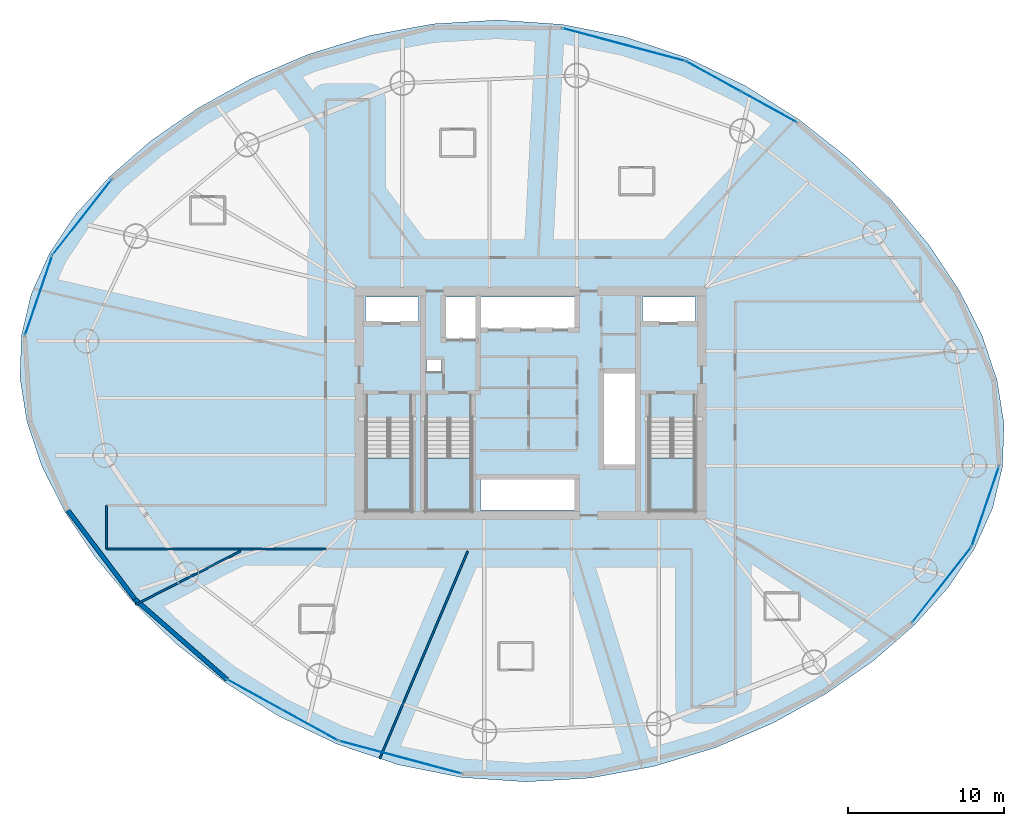
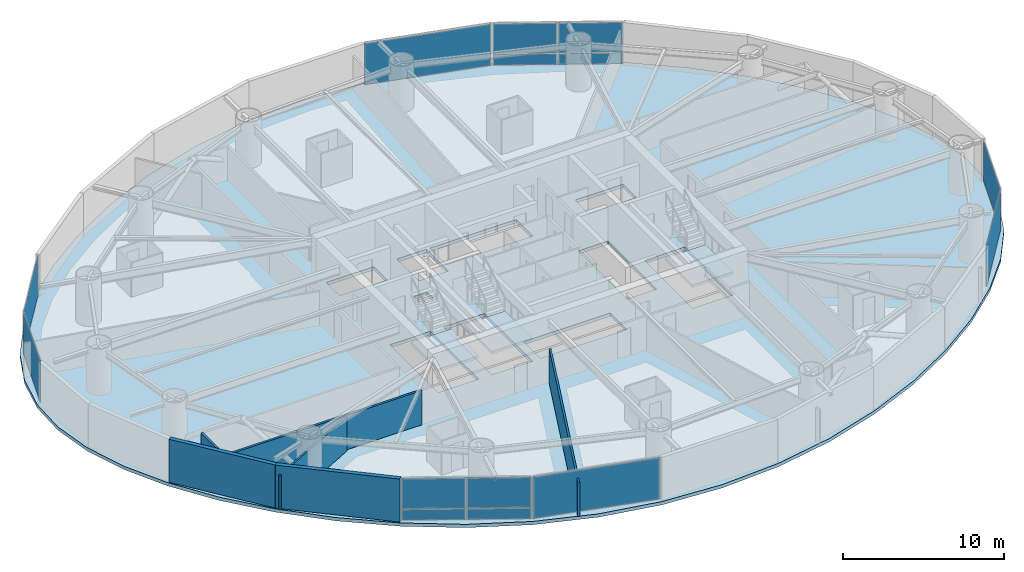
# One storey, part 15 of 23: 14 plates, 6 walls, 4 slabs, 11 elements without a shape of their own.
"""IFC4 building model written with IfcOpenShell, lengths in metres."""

from ifc_helpers import new_model, si_unit, direction, frame, frame_2d, origin, origin_2d, place, context, subcontext, project, spatial, polyline, rectangle, outline, extrude, material, layer, layer_set, type_object, element, aggregate, save


model = new_model("IFC4")

# Units and contexts
model_context = context("Model", 3, precision=1e-05, world=origin(), true_north=direction((0.0, 1.0)))
body_context = subcontext(model_context, "Body", "Model", "MODEL_VIEW")
ifc_project = project(units=[si_unit("LENGTHUNIT", "METRE"), si_unit("AREAUNIT", "SQUARE_METRE"), si_unit("VOLUMEUNIT", "CUBIC_METRE"), si_unit("PLANEANGLEUNIT", "RADIAN"), si_unit("MASSUNIT", "GRAM", prefix="KILO")], contexts=[model_context])

# Site, building, storey
site_placement = place(None, origin())
site = spatial("IfcSite", under=ifc_project, at=site_placement, CompositionType="ELEMENT")
building_placement = place(site_placement, origin())
building = spatial("IfcBuilding", under=site, at=building_placement, Name="Bramvorn Convention Spire", CompositionType="ELEMENT")
storey_placement = place(building_placement, frame((0.0, 0.0, 65.89990234375)))
storey = spatial("IfcBuildingStorey", under=building, at=storey_placement, Name="L14", CompositionType="ELEMENT", Elevation=65.89990234375)

# Curtain wall, plates
ifc_material_1 = material(Name="Anodised Bronze Unitised Curtain Wall", Category="aluminium")
ifc_layer_1 = layer(ifc_material_1, 0.179931640625)
ifc_layer_set_1 = layer_set([ifc_layer_1], Name="Anodised Bronze Unitised Curtain Wall - CW-HTL-FRIT")
curtain_wall_type = type_object("IfcCurtainWallType", Name="CW-HTL-FRIT", PredefinedType="USERDEFINED", material=ifc_layer_set_1)
curtain_wall_1_placement = place(storey_placement, origin())
curtain_wall_1 = element("IfcCurtainWall", 1, at=curtain_wall_1_placement, inside=storey, type_object=curtain_wall_type, Name="L14 fritted glass curtain wall 05", ObjectType="UNITISED CURTAIN WALL", PredefinedType="USERDEFINED")
ifc_material_2 = material(Name="Laminated Low-E Glass (Triple IGU Bronze Ceramic Frit 35%)", Category="glass")
ifc_layer_2 = layer(ifc_material_2, 0.035888671875)
ifc_layer_set_2 = layer_set([ifc_layer_2], Name="Laminated Low-E Glass (Triple IGU Bronze Ceramic Frit 35%) - PNL-IGU-1")
plate_type = type_object("IfcPlateType", Name="PNL-IGU-1", PredefinedType="CURTAIN_PANEL", material=ifc_layer_set_2)
plate_1_placement = place(storey_placement, frame((49.772216796875, 46.99755859375, 0.06005859375), z_axis=(0.0, 0.0, 1.0), x_axis=(0.876084867881, -0.482156929091, 0.0)))
plate_1 = element("IfcPlate", 2, at=plate_1_placement, type_object=plate_type, Name="CW2 panel 1.1", PredefinedType="CURTAIN_PANEL", context=body_context, shape_type="SweptSolid", body=[
    extrude(rectangle(XDim=3.995361328125, YDim=0.028076171875, at=origin_2d()), origin(), (0.0, 0.0, 1.0), 0.81005859375),
])
plate_2_placement = place(storey_placement, frame((49.772216796875, 46.99755859375, 0.93017578125), z_axis=(0.0, 0.0, 1.0), x_axis=(0.876084867881, -0.482156929091, 0.0)))
plate_2 = element("IfcPlate", 3, at=plate_2_placement, type_object=plate_type, Name="CW2 panel 1.2", PredefinedType="CURTAIN_PANEL", context=body_context, shape_type="SweptSolid", body=[
    extrude(rectangle(XDim=3.995361328125, YDim=0.028076171875, at=origin_2d()), origin(), (0.0, 0.0, 1.0), 2.260009765625),
])
plate_3_placement = place(storey_placement, frame((53.324951171875, 45.042236328125, 0.06005859375), z_axis=(0.0, 0.0, 1.0), x_axis=(0.876084867881, -0.482156929091, 0.0)))
plate_3 = element("IfcPlate", 4, at=plate_3_placement, type_object=plate_type, Name="CW2 panel 2.1", PredefinedType="CURTAIN_PANEL", context=body_context, shape_type="SweptSolid", body=[
    extrude(rectangle(XDim=3.995361328125, YDim=0.028076171875, at=origin_2d()), origin(), (0.0, 0.0, 1.0), 0.81005859375),
])
plate_4_placement = place(storey_placement, frame((53.324951171875, 45.042236328125, 0.93017578125), z_axis=(0.0, 0.0, 1.0), x_axis=(0.876084867881, -0.482156929091, 0.0)))
plate_4 = element("IfcPlate", 5, at=plate_4_placement, type_object=plate_type, Name="CW2 panel 2.2", PredefinedType="CURTAIN_PANEL", context=body_context, shape_type="SweptSolid", body=[
    extrude(rectangle(XDim=3.995361328125, YDim=0.028076171875, at=origin_2d()), origin(), (0.0, 0.0, 1.0), 2.260009765625),
])
aggregate(curtain_wall_1, [plate_1, plate_2, plate_3, plate_4])

# Curtain wall, plate
curtain_wall_2_placement = place(storey_placement, origin())
curtain_wall_2 = element("IfcCurtainWall", 6, at=curtain_wall_2_placement, inside=storey, type_object=curtain_wall_type, Name="L14 fritted glass curtain wall 06", ObjectType="UNITISED CURTAIN WALL", PredefinedType="USERDEFINED")
plate_5_placement = place(storey_placement, frame((43.98828125, 49.05322265625, 0.06005859375), z_axis=(0.0, 0.0, 1.0), x_axis=(0.966121664214, -0.258087058833, 0.0)))
plate_5 = element("IfcPlate", 7, at=plate_5_placement, type_object=plate_type, Name="CW2 panel 1.1", PredefinedType="CURTAIN_PANEL", context=body_context, shape_type="SweptSolid", body=[
    extrude(rectangle(XDim=8.121337890625, YDim=0.028076171875, at=origin_2d()), origin(), (0.0, 0.0, 1.0), 3.1298828125),
])
aggregate(curtain_wall_2, [plate_5])

curtain_wall_3_placement = place(storey_placement, origin())
curtain_wall_3 = element("IfcCurtainWall", 8, at=curtain_wall_3_placement, inside=storey, type_object=curtain_wall_type, Name="L14 fritted glass curtain wall 11", ObjectType="UNITISED CURTAIN WALL", PredefinedType="USERDEFINED")
plate_6_placement = place(storey_placement, frame((9.205078125, 37.980224609375, 0.06005859375), z_axis=(0.0, 0.0, 1.0), x_axis=(0.617335147708, 0.786700270373, 0.0)))
plate_6 = element("IfcPlate", 9, at=plate_6_placement, type_object=plate_type, Name="CW2 panel 1.1", PredefinedType="CURTAIN_PANEL", context=body_context, shape_type="SweptSolid", body=[
    extrude(rectangle(XDim=6.092041015625, YDim=0.028076171875, at=origin_2d()), origin(), (0.0, 0.0, 1.0), 3.1298828125),
])
aggregate(curtain_wall_3, [plate_6])

curtain_wall_4_placement = place(storey_placement, origin())
curtain_wall_4 = element("IfcCurtainWall", 10, at=curtain_wall_4_placement, inside=storey, type_object=curtain_wall_type, Name="L14 fritted glass curtain wall 12", ObjectType="UNITISED CURTAIN WALL", PredefinedType="USERDEFINED")
plate_7_placement = place(storey_placement, frame((6.397705078125, 32.93603515625, 0.06005859375), z_axis=(0.0, 0.0, 1.0), x_axis=(0.323715962525, 0.94615430856, 0.0)))
plate_7 = element("IfcPlate", 11, at=plate_7_placement, type_object=plate_type, Name="CW2 panel 1.1", PredefinedType="CURTAIN_PANEL", context=body_context, shape_type="SweptSolid", body=[
    extrude(rectangle(XDim=5.37744140625, YDim=0.028076171875, at=origin_2d()), origin(), (0.0, 0.0, 1.0), 3.1298828125),
])
aggregate(curtain_wall_4, [plate_7])

# Curtain wall, plates
curtain_wall_5_placement = place(storey_placement, origin())
curtain_wall_5 = element("IfcCurtainWall", 12, at=curtain_wall_5_placement, inside=storey, type_object=curtain_wall_type, Name="L14 fritted glass curtain wall 17", ObjectType="UNITISED CURTAIN WALL", PredefinedType="USERDEFINED")
plate_8_placement = place(storey_placement, frame((23.848876953125, 5.31982421875, 0.06005859375), z_axis=(0.0, 0.0, 1.0), x_axis=(-0.876084867881, 0.482156929091, 0.0)))
plate_8 = element("IfcPlate", 13, at=plate_8_placement, type_object=plate_type, Name="CW2 panel 1.1", PredefinedType="CURTAIN_PANEL", context=body_context, shape_type="SweptSolid", body=[
    extrude(rectangle(XDim=3.995361328125, YDim=0.028076171875, at=origin_2d()), origin(), (0.0, 0.0, 1.0), 0.81005859375),
])
plate_9_placement = place(storey_placement, frame((23.848876953125, 5.31982421875, 0.93017578125), z_axis=(0.0, 0.0, 1.0), x_axis=(-0.876084867881, 0.482156929091, 0.0)))
plate_9 = element("IfcPlate", 14, at=plate_9_placement, type_object=plate_type, Name="CW2 panel 1.2", PredefinedType="CURTAIN_PANEL", context=body_context, shape_type="SweptSolid", body=[
    extrude(rectangle(XDim=3.995361328125, YDim=0.028076171875, at=origin_2d()), origin(), (0.0, 0.0, 1.0), 2.260009765625),
])
plate_10_placement = place(storey_placement, frame((20.296142578125, 7.275146484375, 0.06005859375), z_axis=(0.0, 0.0, 1.0), x_axis=(-0.876084867881, 0.482156929091, 0.0)))
plate_10 = element("IfcPlate", 15, at=plate_10_placement, type_object=plate_type, Name="CW2 panel 2.1", PredefinedType="CURTAIN_PANEL", context=body_context, shape_type="SweptSolid", body=[
    extrude(rectangle(XDim=3.995361328125, YDim=0.028076171875, at=origin_2d()), origin(), (0.0, 0.0, 1.0), 0.81005859375),
])
plate_11_placement = place(storey_placement, frame((20.296142578125, 7.275146484375, 0.93017578125), z_axis=(0.0, 0.0, 1.0), x_axis=(-0.876084867881, 0.482156929091, 0.0)))
plate_11 = element("IfcPlate", 16, at=plate_11_placement, type_object=plate_type, Name="CW2 panel 2.2", PredefinedType="CURTAIN_PANEL", context=body_context, shape_type="SweptSolid", body=[
    extrude(rectangle(XDim=3.995361328125, YDim=0.028076171875, at=origin_2d()), origin(), (0.0, 0.0, 1.0), 2.260009765625),
])
aggregate(curtain_wall_5, [plate_8, plate_9, plate_10, plate_11])

# Curtain wall, plate
curtain_wall_6_placement = place(storey_placement, origin())
curtain_wall_6 = element("IfcCurtainWall", 17, at=curtain_wall_6_placement, inside=storey, type_object=curtain_wall_type, Name="L14 fritted glass curtain wall 18", ObjectType="UNITISED CURTAIN WALL", PredefinedType="USERDEFINED")
plate_12_placement = place(storey_placement, frame((29.6328125, 3.26416015625, 0.06005859375), z_axis=(0.0, 0.0, 1.0), x_axis=(-0.966121664214, 0.258087058833, 0.0)))
plate_12 = element("IfcPlate", 18, at=plate_12_placement, type_object=plate_type, Name="CW2 panel 1.1", PredefinedType="CURTAIN_PANEL", context=body_context, shape_type="SweptSolid", body=[
    extrude(rectangle(XDim=8.121337890625, YDim=0.028076171875, at=origin_2d()), origin(), (0.0, 0.0, 1.0), 3.1298828125),
])
aggregate(curtain_wall_6, [plate_12])

curtain_wall_7_placement = place(storey_placement, origin())
curtain_wall_7 = element("IfcCurtainWall", 19, at=curtain_wall_7_placement, inside=storey, type_object=curtain_wall_type, Name="L14 fritted glass curtain wall 23", ObjectType="UNITISED CURTAIN WALL", PredefinedType="USERDEFINED")
plate_13_placement = place(storey_placement, frame((64.416015625, 14.337158203125, 0.06005859375), z_axis=(0.0, 0.0, 1.0), x_axis=(-0.617327329745, -0.78670640518, 0.0)))
plate_13 = element("IfcPlate", 20, at=plate_13_placement, type_object=plate_type, Name="CW2 panel 1.1", PredefinedType="CURTAIN_PANEL", context=body_context, shape_type="SweptSolid", body=[
    extrude(rectangle(XDim=6.092041015625, YDim=0.028076171875, at=origin_2d()), origin(), (0.0, 0.0, 1.0), 3.1298828125),
])
aggregate(curtain_wall_7, [plate_13])

curtain_wall_8_placement = place(storey_placement, origin())
curtain_wall_8 = element("IfcCurtainWall", 21, at=curtain_wall_8_placement, inside=storey, type_object=curtain_wall_type, Name="L14 fritted glass curtain wall 24", ObjectType="UNITISED CURTAIN WALL", PredefinedType="USERDEFINED")
plate_14_placement = place(storey_placement, frame((67.223388671875, 19.38134765625, 0.06005859375), z_axis=(0.0, 0.0, 1.0), x_axis=(-0.323715962525, -0.94615430856, 0.0)))
plate_14 = element("IfcPlate", 22, at=plate_14_placement, type_object=plate_type, Name="CW2 panel 1.1", PredefinedType="CURTAIN_PANEL", context=body_context, shape_type="SweptSolid", body=[
    extrude(rectangle(XDim=5.37744140625, YDim=0.028076171875, at=origin_2d()), origin(), (0.0, 0.0, 1.0), 3.1298828125),
])
aggregate(curtain_wall_8, [plate_14])

# Stair, slab
ifc_material_3 = material(Name="Concrete C40/50 Precast Stair", Category="concrete")
stair_type = type_object("IfcStairType", Name="ST-TOWER-1550", PredefinedType="HALF_TURN_STAIR", material=ifc_material_3)
stair_1_placement = place(storey_placement, origin())
stair_1 = element("IfcStair", 23, at=stair_1_placement, inside=storey, type_object=stair_type, Name="L14 Protected Exit Stair ST1", PredefinedType="HALF_TURN_STAIR")
ifc_material_4 = material(Name="Concrete C40/50 Stair Landing", Category="concrete")
ifc_layer_3 = layer(ifc_material_4, 0.219970703125)
ifc_layer_set_3 = layer_set([ifc_layer_3], Name="Concrete C40/50 Stair Landing - SLB-STAIR-LANDING")
slab_type_1 = type_object("IfcSlabType", Name="SLB-STAIR-LANDING", PredefinedType="LANDING", material=ifc_layer_set_3)
slab_1_placement = place(storey_placement, frame((0.0, 0.0, 1.550048828125)))
slab_1 = element("IfcSlab", 24, at=slab_1_placement, type_object=slab_type_1, Name="ST1 landing 1", PredefinedType="LANDING", context=body_context, shape_type="SweptSolid", body=[
    extrude(outline(polyline([(27.449951171875, 22.485107421875), (27.449951171875, 19.10009765625), (30.35009765625, 19.10009765625), (30.35009765625, 22.485107421875), (27.449951171875, 22.485107421875)])), origin(), (0.0, 0.0, 1.0), 0.199951171875),
])
aggregate(stair_1, [slab_1])

stair_2_placement = place(storey_placement, origin())
stair_2 = element("IfcStair", 25, at=stair_2_placement, inside=storey, type_object=stair_type, Name="L14 Protected Exit Stair ST2", PredefinedType="HALF_TURN_STAIR")
slab_2_placement = place(storey_placement, frame((0.0, 0.0, 1.550048828125)))
slab_2 = element("IfcSlab", 26, at=slab_2_placement, type_object=slab_type_1, Name="ST2 landing 1", PredefinedType="LANDING", context=body_context, shape_type="SweptSolid", body=[
    extrude(outline(polyline([(45.64990234375, 22.485107421875), (45.64990234375, 19.10009765625), (48.550048828125, 19.10009765625), (48.550048828125, 22.485107421875), (45.64990234375, 22.485107421875)])), origin(), (0.0, 0.0, 1.0), 0.199951171875),
])
aggregate(stair_2, [slab_2])

stair_3_placement = place(storey_placement, origin())
stair_3 = element("IfcStair", 27, at=stair_3_placement, inside=storey, type_object=stair_type, Name="L14 Protected Exit Stair ST3", PredefinedType="HALF_TURN_STAIR")
slab_3_placement = place(storey_placement, frame((0.0, 0.0, 1.550048828125)))
slab_3 = element("IfcSlab", 28, at=slab_3_placement, type_object=slab_type_1, Name="ST3 landing 1", PredefinedType="LANDING", context=body_context, shape_type="SweptSolid", body=[
    extrude(outline(polyline([(31.300048828125, 22.485107421875), (31.300048828125, 19.10009765625), (34.199951171875, 19.10009765625), (34.199951171875, 22.485107421875), (31.300048828125, 22.485107421875)])), origin(), (0.0, 0.0, 1.0), 0.199951171875),
])
aggregate(stair_3, [slab_3])

# Slab
ifc_material_5 = material(Name="Concrete C50/60", Category="concrete")
ifc_layer_4 = layer(ifc_material_5, 0.25)
ifc_layer_set_4 = layer_set([ifc_layer_4], Name="Concrete C50/60 - SLB-Z1-250")
slab_type_2 = type_object("IfcSlabType", Name="SLB-Z1-250", PredefinedType="FLOOR", material=ifc_layer_set_4)
slab_4_placement = place(storey_placement, frame((0.0, 0.0, -0.25)))
element("IfcSlab", 29, at=slab_4_placement, inside=storey, type_object=slab_type_2, Name="L14 tower floor slab", PredefinedType="FLOOR", context=body_context, shape_type="SweptSolid", body=[
    extrude(outline(polyline([(68.331298828125, 21.952880859375), (68.42138671875, 24.68701171875), (67.977294921875, 27.492431640625), (67.010986328125, 30.36083984375), (65.54296875, 33.26904296875), (63.599609375, 36.1767578125), (61.21240234375, 39.02490234375), (58.41943359375, 41.73876953125), (55.262939453125, 44.232177734375), (51.790771484375, 46.416259765625), (48.055908203125, 48.20751953125), (44.1171875, 49.535888671875), (40.038818359375, 50.352294921875), (35.888671875, 50.6337890625), (31.739501953125, 50.384521484375), (27.665771484375, 49.63525390625), (23.7421875, 48.437744140625), (20.04248046875, 46.859375), (16.635498046875, 44.972900390625), (13.58544921875, 42.85009765625), (10.947509765625, 40.5537109375), (8.768310546875, 38.132080078125), (7.083984375, 35.617431640625), (5.91943359375, 33.026611328125), (5.289794921875, 30.364501953125), (5.19970703125, 27.63037109375), (5.643798828125, 24.824951171875), (6.610107421875, 21.95654296875), (8.078125, 19.04833984375), (10.021484375, 16.140625), (12.408447265625, 13.29248046875), (15.20166015625, 10.57861328125), (18.358154296875, 8.085205078125), (21.830322265625, 5.901123046875), (25.565185546875, 4.10986328125), (29.50390625, 2.781494140625), (33.58251953125, 1.965087890625), (37.732421875, 1.68359375), (41.881591796875, 1.932861328125), (45.955322265625, 2.68212890625), (49.87890625, 3.879638671875), (53.57861328125, 5.4580078125), (56.985595703125, 7.344482421875), (60.03564453125, 9.46728515625), (62.673583984375, 11.763671875), (64.852783203125, 14.185302734375), (66.537109375, 16.699951171875), (67.701416015625, 19.291015625), (68.331298828125, 21.952880859375)]), holes=[polyline([(27.449951171875, 25.050048828125), (27.449951171875, 19.10009765625), (30.35009765625, 19.10009765625), (30.35009765625, 25.050048828125), (27.449951171875, 25.050048828125)]), polyline([(45.64990234375, 25.050048828125), (45.64990234375, 19.10009765625), (48.550048828125, 19.10009765625), (48.550048828125, 25.050048828125), (45.64990234375, 25.050048828125)]), polyline([(31.300048828125, 25.050048828125), (31.300048828125, 19.10009765625), (34.199951171875, 19.10009765625), (34.199951171875, 25.050048828125), (31.300048828125, 25.050048828125)]), polyline([(27.39990234375, 31.219970703125), (30.800048828125, 31.219970703125), (30.800048828125, 32.85009765625), (27.39990234375, 32.85009765625), (27.39990234375, 31.219970703125)]), polyline([(45.199951171875, 31.219970703125), (48.60009765625, 31.219970703125), (48.60009765625, 32.85009765625), (45.199951171875, 32.85009765625), (45.199951171875, 31.219970703125)]), polyline([(32.449951171875, 30.14990234375), (34.56005859375, 30.14990234375), (34.56005859375, 32.85009765625), (32.449951171875, 32.85009765625), (32.449951171875, 30.14990234375)]), polyline([(34.800048828125, 30.800048828125), (40.97998046875, 30.800048828125), (40.97998046875, 32.85009765625), (34.800048828125, 32.85009765625), (34.800048828125, 30.800048828125)]), polyline([(34.800048828125, 19.14990234375), (40.97998046875, 19.14990234375), (40.97998046875, 21.199951171875), (34.800048828125, 21.199951171875), (34.800048828125, 19.14990234375)]), polyline([(42.6201171875, 22.0), (44.75, 22.0), (44.75, 28.0), (42.6201171875, 28.0), (42.6201171875, 22.0)]), polyline([(31.320068359375, 28.02001953125), (32.280029296875, 28.02001953125), (32.280029296875, 28.820068359375), (31.320068359375, 28.820068359375), (31.320068359375, 28.02001953125)])]), origin(), (0.0, 0.0, 1.0), 0.25),
])

# Walls
ifc_material_6 = material(Name="Precast Concrete C40/50 with Bronze Terracotta Rainscreen", Category="masonry")
ifc_layer_5 = layer(ifc_material_6, 0.300048828125)
ifc_layer_set_5 = layer_set([ifc_layer_5], Name="Precast Concrete C40/50 with Bronze Terracotta Rainscreen - WL-EXT-BRONZE-300")
wall_type_1 = type_object("IfcWallType", Name="WL-EXT-BRONZE-300", PredefinedType="SOLIDWALL", material=ifc_layer_set_5)
wall_1_placement = place(storey_placement, frame((12.583251953125, 13.426025390625, 0.0), z_axis=(0.0, 0.0, 1.0), x_axis=(-0.602327192547, 0.798249305116, 0.0)))
element("IfcWall", 30, at=wall_1_placement, inside=storey, type_object=wall_type_1, Name="L14 expressed bronze Gothic lancet pier wall 15", PredefinedType="SOLIDWALL", context=body_context, shape_type="SweptSolid", body=[
    extrude(rectangle(XDim=7.142822265625, YDim=0.280029296875, at=frame_2d((3.5712890625, 0.0))), origin(), (0.0, 0.0, 1.0), 3.25),
])
wall_2_placement = place(storey_placement, frame((18.493408203125, 8.26708984375, 0.0), z_axis=(0.0, 0.0, 1.0), x_axis=(-0.753362705376, 0.657605226673, 0.0)))
element("IfcWall", 31, at=wall_2_placement, inside=storey, type_object=wall_type_1, Name="L14 expressed bronze Gothic lancet pier wall 16", PredefinedType="SOLIDWALL", context=body_context, shape_type="SweptSolid", body=[
    extrude(rectangle(XDim=7.844970703125, YDim=0.280029296875, at=frame_2d((3.92236328125, 0.0))), origin(), (0.0, 0.0, 1.0), 3.25),
])
ifc_material_7 = material(Name="Metal-Stud Demountable Office Partition", Category="gypsum")
ifc_layer_6 = layer(ifc_material_7, 0.1298828125)
ifc_layer_set_6 = layer_set([ifc_layer_6], Name="Metal-Stud Demountable Office Partition - WL-PART-130")
wall_type_2 = type_object("IfcWallType", Name="WL-PART-130", PredefinedType="PARTITIONING", material=ifc_layer_set_6)
wall_3_placement = place(storey_placement, frame((19.374755859375, 16.510009765625, 0.0), z_axis=(0.0, 0.0, 1.0), x_axis=(-0.891001978336, -0.453999421366, 0.0)))
element("IfcWall", 32, at=wall_3_placement, inside=storey, type_object=wall_type_2, Name="L14 Guestroom demising wall 6", PredefinedType="PARTITIONING", context=body_context, shape_type="SweptSolid", body=[
    extrude(rectangle(XDim=7.598388671875, YDim=0.1298828125, at=frame_2d((3.79931640625, 0.0))), origin(), (0.0, 0.0, 1.0), 2.60009765625),
])
wall_4_placement = place(storey_placement, frame((33.9716796875, 16.510009765625, 0.0), z_axis=(0.0, 0.0, 1.0), x_axis=(-0.390730883352, -0.920504957507, 0.0)))
element("IfcWall", 33, at=wall_4_placement, inside=storey, type_object=wall_type_2, Name="L14 Guestroom demising wall 7", PredefinedType="PARTITIONING", context=body_context, shape_type="SweptSolid", body=[
    extrude(rectangle(XDim=14.510498046875, YDim=0.1298828125, at=frame_2d((7.25537109375, 0.0))), origin(), (0.0, 0.0, 1.0), 2.60009765625),
])
ifc_material_8 = material(Name="Acoustic Metal-Stud Tenant/Corridor Partition", Category="gypsum")
ifc_layer_7 = layer(ifc_material_8, 0.14990234375)
ifc_layer_set_7 = layer_set([ifc_layer_7], Name="Acoustic Metal-Stud Tenant/Corridor Partition - WL-PART-150")
wall_type_3 = type_object("IfcWallType", Name="WL-PART-150", PredefinedType="PARTITIONING", material=ifc_layer_set_7)
wall_5_placement = place(storey_placement, frame((10.760498046875, 16.64990234375, 0.0), z_axis=(0.0, 0.0, 1.0), x_axis=(1.0, 0.0, 0.0)))
element("IfcWall", 34, at=wall_5_placement, inside=storey, type_object=wall_type_3, Name="L14 SW pinwheel wing south wall", PredefinedType="PARTITIONING", context=body_context, shape_type="SweptSolid", body=[
    extrude(rectangle(XDim=14.089599609375, YDim=0.14990234375, at=frame_2d((7.044921875, 0.0))), origin(), (0.0, 0.0, 1.0), 2.60009765625),
])
wall_6_placement = place(storey_placement, frame((10.760498046875, 16.64990234375, 0.0), z_axis=(0.0, 0.0, 1.0), x_axis=(0.0, 1.0, 0.0)))
element("IfcWall", 35, at=wall_6_placement, inside=storey, type_object=wall_type_3, Name="L14 SW pinwheel end wall", PredefinedType="PARTITIONING", context=body_context, shape_type="SweptSolid", body=[
    extrude(rectangle(XDim=2.800048828125, YDim=0.14990234375, at=frame_2d((1.39990234375, 0.0))), origin(), (0.0, 0.0, 1.0), 2.60009765625),
])

save(model, "model.ifc")
